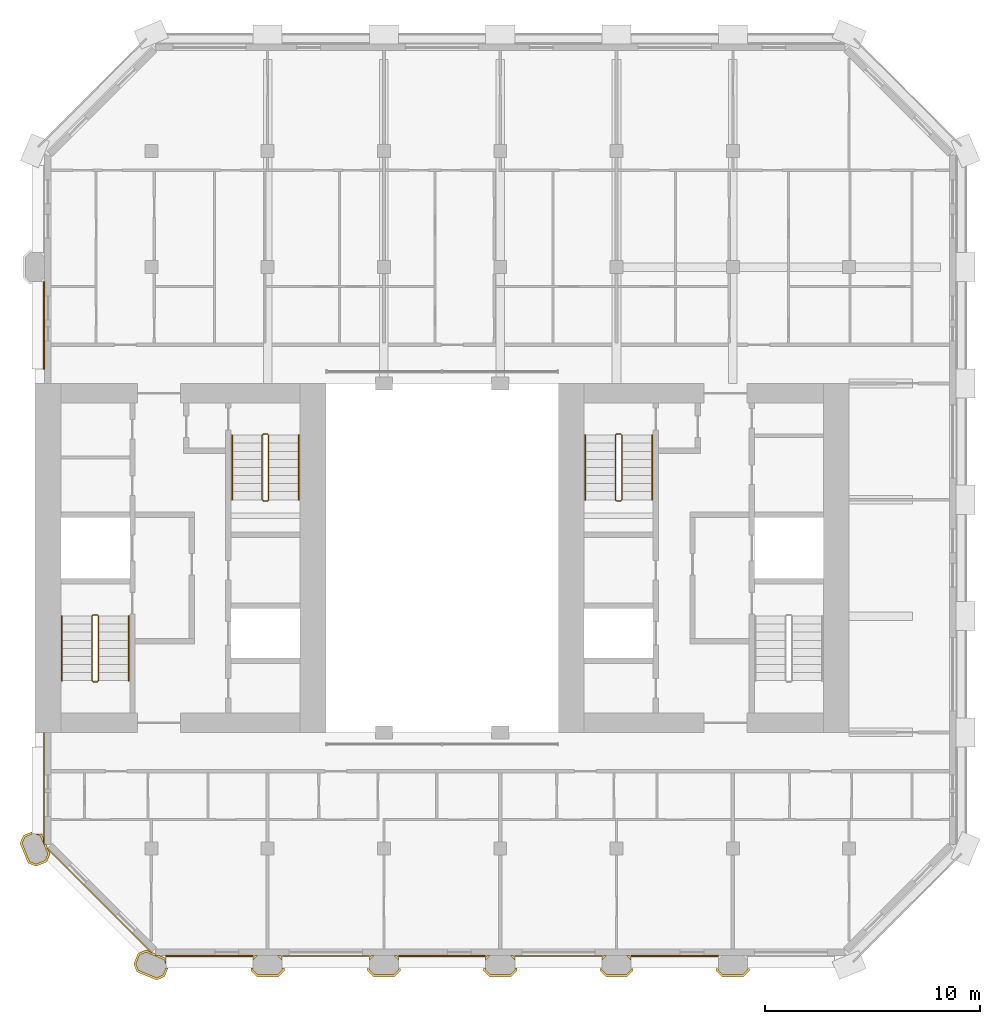
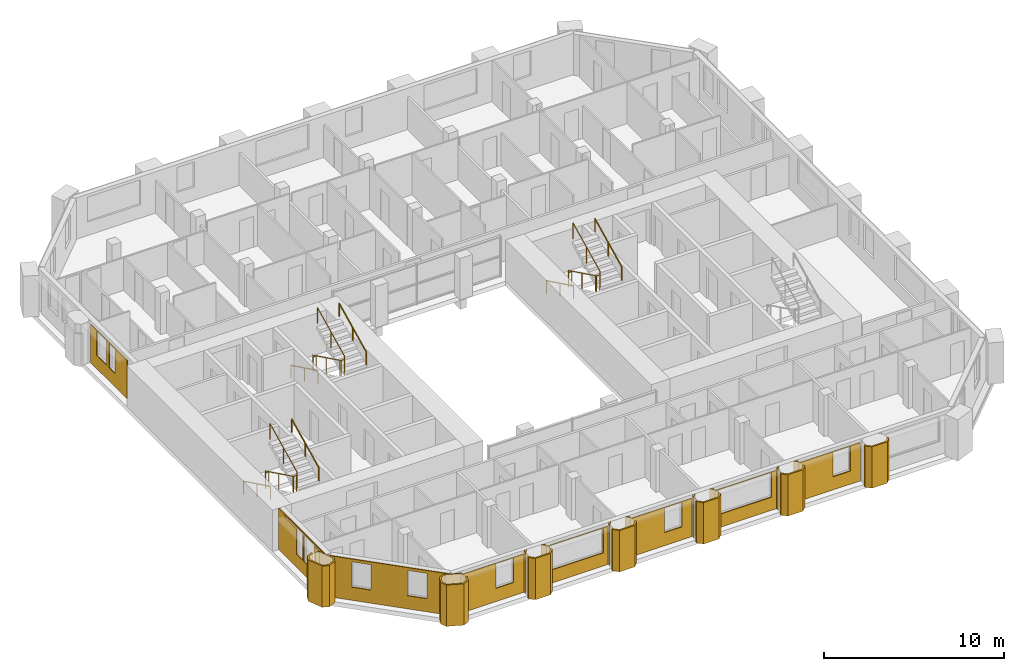
# One storey, part 11 of 13: 23 coverings, 9 railings.
"""IFC4 building model written with IfcOpenShell, lengths in metres."""

from ifc_helpers import new_model, si_unit, direction, frame, origin, origin_2d, place, context, subcontext, project, spatial, polyline, circle, outline, extrude, material, layer, layer_set, type_object, element, save


model = new_model("IFC4")

# Units and contexts
model_context = context("Model", 3, precision=1e-05, world=origin(), true_north=direction((0.0, 1.0)))
body_context = subcontext(model_context, "Body", "Model", "MODEL_VIEW")
ifc_project = project(units=[si_unit("LENGTHUNIT", "METRE"), si_unit("AREAUNIT", "SQUARE_METRE"), si_unit("VOLUMEUNIT", "CUBIC_METRE"), si_unit("PLANEANGLEUNIT", "RADIAN"), si_unit("MASSUNIT", "GRAM", prefix="KILO")], contexts=[model_context])

# Site, building, storey
site_placement = place(None, origin())
site = spatial("IfcSite", under=ifc_project, at=site_placement, CompositionType="ELEMENT")
building_placement = place(site_placement, origin())
building = spatial("IfcBuilding", under=site, at=building_placement, Name="Tabaq Tower and Sports Hall", CompositionType="ELEMENT")
storey_placement = place(building_placement, frame((0.0, 0.0, 304.89990234375)))
storey = spatial("IfcBuildingStorey", under=building, at=storey_placement, Name="L76", CompositionType="ELEMENT", Elevation=304.89990234375)

# Coverings
ifc_material_1 = material(Name="Precast concrete C60/75", Category="concrete")
ifc_layer_1 = layer(ifc_material_1, 0.10009765625)
ifc_layer_set_1 = layer_set([ifc_layer_1], Name="Column cladding 100")
covering_type_1 = type_object("IfcCoveringType", Name="Column cladding 100", PredefinedType="CLADDING", material=ifc_layer_set_1)
covering_1_placement = place(storey_placement, origin())
element("IfcCovering", 1, at=covering_1_placement, inside=storey, type_object=covering_type_1, Name="Column cladding L76 PC-2C-R2", PredefinedType="CLADDING", context=body_context, shape_type="SweptSolid", body=[
    extrude(outline(polyline([(5.450439453125, 9.982421875), (5.080078125, 10.1357421875), (4.7041015625, 11.04345703125), (4.857421875, 11.413818359375), (5.249755859375, 11.576171875), (5.249755859375, 11.474609375), (5.26416015625, 11.474609375), (4.93359375, 11.337646484375), (4.811767578125, 11.04345703125), (5.15625, 10.2119140625), (5.450439453125, 10.08984375), (5.866455078125, 10.26220703125), (5.98828125, 10.556396484375), (5.643798828125, 11.38818359375), (5.434814453125, 11.474609375), (5.694580078125, 11.474609375), (5.7197265625, 11.46435546875), (5.789794921875, 11.295654296875), (5.789794921875, 11.04296875), (5.849609375, 11.04296875), (5.849609375, 10.986083984375), (5.91796875, 10.986083984375), (5.9814453125, 10.83251953125), (5.9501953125, 10.801025390625), (6.026123046875, 10.72509765625), (6.095947265625, 10.556396484375), (5.9423828125, 10.186279296875), (5.450439453125, 9.982421875)])), origin(), (0.0, 0.0, 1.0), 2.800048828125),
])
covering_2_placement = place(storey_placement, origin())
element("IfcCovering", 2, at=covering_2_placement, inside=storey, type_object=covering_type_1, Name="Column cladding L76 PC-3B-R2", PredefinedType="CLADDING", context=body_context, shape_type="SweptSolid", body=[
    extrude(outline(polyline([(11.413818359375, 4.857421875), (11.04345703125, 4.7041015625), (10.1357421875, 5.080078125), (9.982421875, 5.450439453125), (10.186279296875, 5.9423828125), (10.556396484375, 6.095947265625), (10.72509765625, 6.026123046875), (10.801025390625, 5.9501953125), (10.83251953125, 5.9814453125), (10.986083984375, 5.91796875), (10.986083984375, 5.849609375), (11.15087890625, 5.849609375), (11.46435546875, 5.7197265625), (11.474609375, 5.694580078125), (11.474609375, 5.434814453125), (11.38818359375, 5.643798828125), (10.556396484375, 5.98828125), (10.26220703125, 5.866455078125), (10.08984375, 5.450439453125), (10.2119140625, 5.15625), (11.04345703125, 4.811767578125), (11.337646484375, 4.93359375), (11.474609375, 5.26416015625), (11.474609375, 5.249755859375), (11.576171875, 5.249755859375), (11.413818359375, 4.857421875)])), origin(), (0.0, 0.0, 1.0), 2.800048828125),
])
covering_3_placement = place(storey_placement, origin())
element("IfcCovering", 3, at=covering_3_placement, inside=storey, type_object=covering_type_1, Name="Column cladding L76 PC-4B-R2", PredefinedType="CLADDING", context=body_context, shape_type="SweptSolid", body=[
    extrude(outline(polyline([(15.42529296875, 5.249755859375), (15.524658203125, 5.249755859375), (15.524658203125, 5.1748046875), (15.749755859375, 4.94970703125), (16.650146484375, 4.94970703125), (16.875244140625, 5.1748046875), (16.875244140625, 5.249755859375), (16.974609375, 5.249755859375), (16.974609375, 5.1337890625), (16.69140625, 4.850341796875), (15.708740234375, 4.850341796875), (15.42529296875, 5.1337890625), (15.42529296875, 5.249755859375)])), origin(), (0.0, 0.0, 1.0), 2.800048828125),
])
covering_4_placement = place(storey_placement, origin())
element("IfcCovering", 4, at=covering_4_placement, inside=storey, type_object=covering_type_1, Name="Column cladding L76 PC-4B-R2 2", PredefinedType="CLADDING", context=body_context, shape_type="SweptSolid", body=[
    extrude(outline(polyline([(16.874755859375, 5.766357421875), (16.874755859375, 5.625732421875), (16.650634765625, 5.849609375), (16.791259765625, 5.849609375), (16.874755859375, 5.766357421875)])), origin(), (0.0, 0.0, 1.0), 2.800048828125),
])
covering_5_placement = place(storey_placement, origin())
element("IfcCovering", 5, at=covering_5_placement, inside=storey, type_object=covering_type_1, Name="Column cladding L76 PC-4B-R2 3", PredefinedType="CLADDING", context=body_context, shape_type="SweptSolid", body=[
    extrude(outline(polyline([(15.608642578125, 5.849609375), (15.749267578125, 5.849609375), (15.525390625, 5.625732421875), (15.525390625, 5.766357421875), (15.608642578125, 5.849609375)])), origin(), (0.0, 0.0, 1.0), 2.800048828125),
])
covering_6_placement = place(storey_placement, origin())
element("IfcCovering", 6, at=covering_6_placement, inside=storey, type_object=covering_type_1, Name="Column cladding L76 PC-5B-R2", PredefinedType="CLADDING", context=body_context, shape_type="SweptSolid", body=[
    extrude(outline(polyline([(20.82568359375, 5.24951171875), (20.92431640625, 5.24951171875), (20.92431640625, 5.1748046875), (21.149658203125, 4.949462890625), (22.05029296875, 4.949462890625), (22.275634765625, 5.1748046875), (22.275634765625, 5.24951171875), (22.37451171875, 5.24951171875), (22.37451171875, 5.1337890625), (22.091064453125, 4.8505859375), (21.10888671875, 4.8505859375), (20.82568359375, 5.1337890625), (20.82568359375, 5.24951171875)])), origin(), (0.0, 0.0, 1.0), 2.800048828125),
])
covering_7_placement = place(storey_placement, origin())
element("IfcCovering", 7, at=covering_7_placement, inside=storey, type_object=covering_type_1, Name="Column cladding L76 PC-5B-R2 2", PredefinedType="CLADDING", context=body_context, shape_type="SweptSolid", body=[
    extrude(outline(polyline([(22.274658203125, 5.766357421875), (22.274658203125, 5.625732421875), (22.05078125, 5.849609375), (22.19140625, 5.849609375), (22.274658203125, 5.766357421875)])), origin(), (0.0, 0.0, 1.0), 2.800048828125),
])
covering_8_placement = place(storey_placement, origin())
element("IfcCovering", 8, at=covering_8_placement, inside=storey, type_object=covering_type_1, Name="Column cladding L76 PC-5B-R2 3", PredefinedType="CLADDING", context=body_context, shape_type="SweptSolid", body=[
    extrude(outline(polyline([(20.925537109375, 5.62646484375), (20.925537109375, 5.76611328125), (21.0087890625, 5.849365234375), (21.1484375, 5.849365234375), (20.925537109375, 5.62646484375)])), origin(), (0.0, 0.0, 1.0), 2.800048828125),
])
covering_9_placement = place(storey_placement, origin())
element("IfcCovering", 9, at=covering_9_placement, inside=storey, type_object=covering_type_1, Name="Column cladding L76 PC-6B-R2", PredefinedType="CLADDING", context=body_context, shape_type="SweptSolid", body=[
    extrude(outline(polyline([(26.225341796875, 5.249755859375), (26.32470703125, 5.249755859375), (26.32470703125, 5.1748046875), (26.5498046875, 4.94970703125), (27.4501953125, 4.94970703125), (27.67529296875, 5.1748046875), (27.67529296875, 5.249755859375), (27.774658203125, 5.249755859375), (27.774658203125, 5.1337890625), (27.4912109375, 4.850341796875), (26.5087890625, 4.850341796875), (26.225341796875, 5.1337890625), (26.225341796875, 5.249755859375)])), origin(), (0.0, 0.0, 1.0), 2.800048828125),
])
covering_10_placement = place(storey_placement, origin())
element("IfcCovering", 10, at=covering_10_placement, inside=storey, type_object=covering_type_1, Name="Column cladding L76 PC-6B-R2 2", PredefinedType="CLADDING", context=body_context, shape_type="SweptSolid", body=[
    extrude(outline(polyline([(26.40869140625, 5.849609375), (26.54931640625, 5.849609375), (26.3251953125, 5.625732421875), (26.3251953125, 5.766357421875), (26.40869140625, 5.849609375)])), origin(), (0.0, 0.0, 1.0), 2.800048828125),
])
covering_11_placement = place(storey_placement, origin())
element("IfcCovering", 11, at=covering_11_placement, inside=storey, type_object=covering_type_1, Name="Column cladding L76 PC-6B-R2 3", PredefinedType="CLADDING", context=body_context, shape_type="SweptSolid", body=[
    extrude(outline(polyline([(27.6748046875, 5.766357421875), (27.6748046875, 5.625732421875), (27.45068359375, 5.849609375), (27.59130859375, 5.849609375), (27.6748046875, 5.766357421875)])), origin(), (0.0, 0.0, 1.0), 2.800048828125),
])
covering_12_placement = place(storey_placement, origin())
element("IfcCovering", 12, at=covering_12_placement, inside=storey, type_object=covering_type_1, Name="Column cladding L76 PC-7B-R2", PredefinedType="CLADDING", context=body_context, shape_type="SweptSolid", body=[
    extrude(outline(polyline([(31.62548828125, 5.24951171875), (31.724365234375, 5.24951171875), (31.724365234375, 5.1748046875), (31.94970703125, 4.949462890625), (32.850341796875, 4.949462890625), (33.07568359375, 5.1748046875), (33.07568359375, 5.24951171875), (33.17431640625, 5.24951171875), (33.17431640625, 5.1337890625), (32.89111328125, 4.8505859375), (31.908935546875, 4.8505859375), (31.62548828125, 5.1337890625), (31.62548828125, 5.24951171875)])), origin(), (0.0, 0.0, 1.0), 2.800048828125),
])
covering_13_placement = place(storey_placement, origin())
element("IfcCovering", 13, at=covering_13_placement, inside=storey, type_object=covering_type_1, Name="Column cladding L76 PC-7B-R2 2", PredefinedType="CLADDING", context=body_context, shape_type="SweptSolid", body=[
    extrude(outline(polyline([(31.80859375, 5.849609375), (31.94921875, 5.849609375), (31.725341796875, 5.625732421875), (31.725341796875, 5.766357421875), (31.80859375, 5.849609375)])), origin(), (0.0, 0.0, 1.0), 2.800048828125),
])
covering_14_placement = place(storey_placement, origin())
element("IfcCovering", 14, at=covering_14_placement, inside=storey, type_object=covering_type_1, Name="Column cladding L76 PC-7B-R2 3", PredefinedType="CLADDING", context=body_context, shape_type="SweptSolid", body=[
    extrude(outline(polyline([(33.074462890625, 5.62646484375), (32.8515625, 5.849365234375), (32.9912109375, 5.849365234375), (33.074462890625, 5.76611328125), (33.074462890625, 5.62646484375)])), origin(), (0.0, 0.0, 1.0), 2.800048828125),
])
covering_15_placement = place(storey_placement, origin())
element("IfcCovering", 15, at=covering_15_placement, inside=storey, type_object=covering_type_1, Name="Column cladding L76 PC-8B-R2", PredefinedType="CLADDING", context=body_context, shape_type="SweptSolid", body=[
    extrude(outline(polyline([(37.025634765625, 5.24951171875), (37.12451171875, 5.24951171875), (37.12451171875, 5.1748046875), (37.349853515625, 4.949462890625), (38.250244140625, 4.949462890625), (38.4755859375, 5.1748046875), (38.4755859375, 5.24951171875), (38.574462890625, 5.24951171875), (38.574462890625, 5.1337890625), (38.291259765625, 4.8505859375), (37.308837890625, 4.8505859375), (37.025634765625, 5.1337890625), (37.025634765625, 5.24951171875)])), origin(), (0.0, 0.0, 1.0), 2.800048828125),
])

# Railings
ifc_material_2 = material(Name="Stainless steel", Category="steel")
railing_type_1 = type_object("IfcRailingType", Name="Stair guard", PredefinedType="GUARDRAIL", material=ifc_material_2)
railing_1_placement = place(storey_placement, frame((8.300048828125, 21.64990234375, 0.0)))
element("IfcRailing", 16, at=railing_1_placement, inside=storey, type_object=railing_type_1, Name="L76 ST1 stair guard 1", PredefinedType="GUARDRAIL", context=body_context, shape_type="SweptSolid", body=[
    extrude(circle(Radius=0.02392578125, at=origin_2d()), frame((0.0, 0.0, 1.076171875), z_axis=(-1.0, 0.0, 0.0), x_axis=(0.0, -1.0, 0.0)), (0.0, 0.0, 1.0), 0.199951171875),
    extrude(circle(Radius=0.02392578125, at=origin_2d()), frame((-0.199951171875, 0.0, 1.076171875), z_axis=(-0.254733673405, -0.25349107012, 0.933195066962), x_axis=(0.705375805398, -0.708833529934, 0.0)), (0.0, 0.0, 1.0), 0.196533203125),
    extrude(circle(Radius=0.02392578125, at=origin_2d()), frame((-0.25, -0.0498046875, 1.25927734375), z_axis=(0.0, -0.898368975038, 0.439241601728), x_axis=(1.0, 0.0, 0.0)), (0.0, 0.0, 1.0), 3.33935546875),
    extrude(circle(Radius=0.02392578125, at=origin_2d()), frame((-0.25, -3.0498046875, 2.72607421875), z_axis=(0.707106781187, -0.707106781187, 0.0), x_axis=(0.707106781187, 0.707106781187, 0.0)), (0.0, 0.0, 1.0), 0.07080078125),
    extrude(circle(Radius=0.02392578125, at=origin_2d()), frame((-0.199951171875, -3.099853515625, 2.72607421875), z_axis=(1.0, 0.0, 0.0), x_axis=(0.0, 1.0, 0.0)), (0.0, 0.0, 1.0), 0.199951171875),
    extrude(circle(Radius=0.02392578125, at=origin_2d()), frame((0.0, -3.099853515625, 2.72607421875), z_axis=(0.254653276557, 0.254653276557, 0.932900539971), x_axis=(-0.707106781187, 0.707106781187, 0.0)), (0.0, 0.0, 1.0), 0.196533203125),
    extrude(circle(Radius=0.02392578125, at=origin_2d()), frame((0.050048828125, -3.0498046875, 2.90966796875), z_axis=(0.0, 0.898397823093, 0.439182594671), x_axis=(-1.0, 0.0, 0.0)), (0.0, 0.0, 1.0), 3.33935546875),
    extrude(circle(Radius=0.02099609375, at=origin_2d()), origin(), (0.0, 0.0, 1.0), 1.052001953125),
    extrude(circle(Radius=0.02099609375, at=origin_2d()), frame((-0.199951171875, 0.0, 0.0)), (0.0, 0.0, 1.0), 1.052001953125),
    extrude(circle(Radius=0.02099609375, at=origin_2d()), frame((-0.25, -0.0498046875, 0.183349609375)), (0.0, 0.0, 1.0), 1.052001953125),
    extrude(circle(Radius=0.02099609375, at=origin_2d()), frame((-0.25, -1.5498046875, 0.916748046875)), (0.0, 0.0, 1.0), 1.052001953125),
    extrude(circle(Radius=0.02099609375, at=origin_2d()), frame((-0.25, -3.0498046875, 1.650146484375)), (0.0, 0.0, 1.0), 1.052001953125),
    extrude(circle(Radius=0.02099609375, at=origin_2d()), frame((-0.199951171875, -3.099853515625, 1.650146484375)), (0.0, 0.0, 1.0), 1.052001953125),
    extrude(circle(Radius=0.02099609375, at=origin_2d()), frame((0.0, -3.099853515625, 1.650146484375)), (0.0, 0.0, 1.0), 1.052001953125),
    extrude(circle(Radius=0.02099609375, at=origin_2d()), frame((0.050048828125, -3.0498046875, 1.83349609375)), (0.0, 0.0, 1.0), 1.052001953125),
    extrude(circle(Radius=0.02099609375, at=origin_2d()), frame((0.050048828125, -1.5498046875, 2.56689453125)), (0.0, 0.0, 1.0), 1.052001953125),
    extrude(circle(Radius=0.02099609375, at=origin_2d()), frame((0.050048828125, -0.0498046875, 3.300048828125)), (0.0, 0.0, 1.0), 1.052001953125),
])
railing_2_placement = place(storey_placement, frame((16.199951171875, 30.050048828125, 0.0)))
element("IfcRailing", 17, at=railing_2_placement, inside=storey, type_object=railing_type_1, Name="L76 ST2 stair guard 1", PredefinedType="GUARDRAIL", context=body_context, shape_type="SweptSolid", body=[
    extrude(circle(Radius=0.02392578125, at=origin_2d()), frame((0.0, 0.0, 1.076171875), z_axis=(-1.0, 0.0, 0.0), x_axis=(0.0, -1.0, 0.0)), (0.0, 0.0, 1.0), 0.199951171875),
    extrude(circle(Radius=0.02392578125, at=origin_2d()), frame((-0.199951171875, 0.0, 1.076171875), z_axis=(-0.254653276557, -0.254653276557, 0.932900539971), x_axis=(0.707106781187, -0.707106781187, 0.0)), (0.0, 0.0, 1.0), 0.196533203125),
    extrude(circle(Radius=0.02392578125, at=origin_2d()), frame((-0.25, -0.050048828125, 1.25927734375), z_axis=(0.0, -0.898368975038, 0.439241601728), x_axis=(1.0, 0.0, 0.0)), (0.0, 0.0, 1.0), 3.33935546875),
    extrude(circle(Radius=0.02392578125, at=origin_2d()), frame((-0.25, -3.050048828125, 2.72607421875), z_axis=(0.707106781187, -0.707106781187, 0.0), x_axis=(0.707106781187, 0.707106781187, 0.0)), (0.0, 0.0, 1.0), 0.07080078125),
    extrude(circle(Radius=0.02392578125, at=origin_2d()), frame((-0.199951171875, -3.10009765625, 2.72607421875), z_axis=(1.0, 0.0, 0.0), x_axis=(0.0, 1.0, 0.0)), (0.0, 0.0, 1.0), 0.199951171875),
    extrude(circle(Radius=0.02392578125, at=origin_2d()), frame((0.0, -3.10009765625, 2.72607421875), z_axis=(0.254653276557, 0.254653276557, 0.932900539971), x_axis=(-0.707106781187, 0.707106781187, 0.0)), (0.0, 0.0, 1.0), 0.196533203125),
    extrude(circle(Radius=0.02392578125, at=origin_2d()), frame((0.050048828125, -3.050048828125, 2.90966796875), z_axis=(0.0, 0.898397823093, 0.439182594671), x_axis=(-1.0, 0.0, 0.0)), (0.0, 0.0, 1.0), 3.33935546875),
    extrude(circle(Radius=0.02099609375, at=origin_2d()), origin(), (0.0, 0.0, 1.0), 1.052001953125),
    extrude(circle(Radius=0.02099609375, at=origin_2d()), frame((-0.199951171875, 0.0, 0.0)), (0.0, 0.0, 1.0), 1.052001953125),
    extrude(circle(Radius=0.02099609375, at=origin_2d()), frame((-0.25, -0.050048828125, 0.183349609375)), (0.0, 0.0, 1.0), 1.052001953125),
    extrude(circle(Radius=0.02099609375, at=origin_2d()), frame((-0.25, -1.550048828125, 0.916748046875)), (0.0, 0.0, 1.0), 1.052001953125),
    extrude(circle(Radius=0.02099609375, at=origin_2d()), frame((-0.25, -3.050048828125, 1.650146484375)), (0.0, 0.0, 1.0), 1.052001953125),
    extrude(circle(Radius=0.02099609375, at=origin_2d()), frame((-0.199951171875, -3.10009765625, 1.650146484375)), (0.0, 0.0, 1.0), 1.052001953125),
    extrude(circle(Radius=0.02099609375, at=origin_2d()), frame((0.0, -3.10009765625, 1.650146484375)), (0.0, 0.0, 1.0), 1.052001953125),
    extrude(circle(Radius=0.02099609375, at=origin_2d()), frame((0.050048828125, -3.050048828125, 1.83349609375)), (0.0, 0.0, 1.0), 1.052001953125),
    extrude(circle(Radius=0.02099609375, at=origin_2d()), frame((0.050048828125, -1.550048828125, 2.56689453125)), (0.0, 0.0, 1.0), 1.052001953125),
    extrude(circle(Radius=0.02099609375, at=origin_2d()), frame((0.050048828125, -0.050048828125, 3.300048828125)), (0.0, 0.0, 1.0), 1.052001953125),
])
railing_3_placement = place(storey_placement, frame((32.60009765625, 30.050048828125, 0.0)))
element("IfcRailing", 18, at=railing_3_placement, inside=storey, type_object=railing_type_1, Name="L76 ST4 stair guard 1", PredefinedType="GUARDRAIL", context=body_context, shape_type="SweptSolid", body=[
    extrude(circle(Radius=0.02392578125, at=origin_2d()), frame((0.0, 0.0, 1.076171875), z_axis=(-1.0, 0.0, 0.0), x_axis=(0.0, -1.0, 0.0)), (0.0, 0.0, 1.0), 0.2001953125),
    extrude(circle(Radius=0.02392578125, at=origin_2d()), frame((-0.2001953125, 0.0, 1.076171875), z_axis=(-0.25349107012, -0.254733673405, 0.933195066962), x_axis=(0.708833529934, -0.705375805398, 0.0)), (0.0, 0.0, 1.0), 0.196533203125),
    extrude(circle(Radius=0.02392578125, at=origin_2d()), frame((-0.25, -0.050048828125, 1.25927734375), z_axis=(0.0, -0.898368975038, 0.439241601728), x_axis=(1.0, 0.0, 0.0)), (0.0, 0.0, 1.0), 3.33935546875),
    extrude(circle(Radius=0.02392578125, at=origin_2d()), frame((-0.25, -3.050048828125, 2.72607421875), z_axis=(0.705375805398, -0.708833529934, 0.0), x_axis=(0.708833529934, 0.705375805398, 0.0)), (0.0, 0.0, 1.0), 0.070556640625),
    extrude(circle(Radius=0.02392578125, at=origin_2d()), frame((-0.2001953125, -3.10009765625, 2.72607421875), z_axis=(1.0, 0.0, 0.0), x_axis=(0.0, 1.0, 0.0)), (0.0, 0.0, 1.0), 0.2001953125),
    extrude(circle(Radius=0.02392578125, at=origin_2d()), frame((0.0, -3.10009765625, 2.72607421875), z_axis=(0.25349107012, 0.254733673405, 0.933195066962), x_axis=(-0.708833529934, 0.705375805398, 0.0)), (0.0, 0.0, 1.0), 0.196533203125),
    extrude(circle(Radius=0.02392578125, at=origin_2d()), frame((0.0498046875, -3.050048828125, 2.90966796875), z_axis=(0.0, 0.898397823093, 0.439182594671), x_axis=(-1.0, 0.0, 0.0)), (0.0, 0.0, 1.0), 3.33935546875),
    extrude(circle(Radius=0.02099609375, at=origin_2d()), origin(), (0.0, 0.0, 1.0), 1.052001953125),
    extrude(circle(Radius=0.02099609375, at=origin_2d()), frame((-0.2001953125, 0.0, 0.0)), (0.0, 0.0, 1.0), 1.052001953125),
    extrude(circle(Radius=0.02099609375, at=origin_2d()), frame((-0.25, -0.050048828125, 0.183349609375)), (0.0, 0.0, 1.0), 1.052001953125),
    extrude(circle(Radius=0.02099609375, at=origin_2d()), frame((-0.25, -1.550048828125, 0.916748046875)), (0.0, 0.0, 1.0), 1.052001953125),
    extrude(circle(Radius=0.02099609375, at=origin_2d()), frame((-0.25, -3.050048828125, 1.650146484375)), (0.0, 0.0, 1.0), 1.052001953125),
    extrude(circle(Radius=0.02099609375, at=origin_2d()), frame((-0.2001953125, -3.10009765625, 1.650146484375)), (0.0, 0.0, 1.0), 1.052001953125),
    extrude(circle(Radius=0.02099609375, at=origin_2d()), frame((0.0, -3.10009765625, 1.650146484375)), (0.0, 0.0, 1.0), 1.052001953125),
    extrude(circle(Radius=0.02099609375, at=origin_2d()), frame((0.0498046875, -3.050048828125, 1.83349609375)), (0.0, 0.0, 1.0), 1.052001953125),
    extrude(circle(Radius=0.02099609375, at=origin_2d()), frame((0.0498046875, -1.550048828125, 2.56689453125)), (0.0, 0.0, 1.0), 1.052001953125),
    extrude(circle(Radius=0.02099609375, at=origin_2d()), frame((0.0498046875, -0.050048828125, 3.300048828125)), (0.0, 0.0, 1.0), 1.052001953125),
])
ifc_material_3 = material(Name="Stainless steel", Category="steel")
railing_type_2 = type_object("IfcRailingType", Name="Stair handrail", PredefinedType="HANDRAIL", material=ifc_material_3)
railing_4_placement = place(storey_placement, frame((6.64990234375, 21.60009765625, 0.183349609375)))
element("IfcRailing", 19, at=railing_4_placement, inside=storey, type_object=railing_type_2, Name="L76 ST1 stair handrail 1", PredefinedType="HANDRAIL", context=body_context, shape_type="SweptSolid", body=[
    extrude(circle(Radius=0.02392578125, at=origin_2d()), frame((0.0, 0.0, 0.8759765625), z_axis=(0.0, -0.898368975038, 0.439241601728), x_axis=(1.0, 0.0, 0.0)), (0.0, 0.0, 1.0), 3.33935546875),
    extrude(circle(Radius=0.02099609375, at=origin_2d()), origin(), (0.0, 0.0, 1.0), 0.851806640625),
    extrude(circle(Radius=0.02099609375, at=origin_2d()), frame((0.0, -1.5, 0.7333984375)), (0.0, 0.0, 1.0), 0.851806640625),
    extrude(circle(Radius=0.02099609375, at=origin_2d()), frame((0.0, -3.0, 1.466796875)), (0.0, 0.0, 1.0), 0.851806640625),
])
railing_5_placement = place(storey_placement, frame((9.75, 18.60009765625, 1.83349609375)))
element("IfcRailing", 20, at=railing_5_placement, inside=storey, type_object=railing_type_2, Name="L76 ST1 stair handrail 2", PredefinedType="HANDRAIL", context=body_context, shape_type="SweptSolid", body=[
    extrude(circle(Radius=0.02392578125, at=origin_2d()), frame((0.0, 0.0, 0.8759765625), z_axis=(0.0, 0.898397823093, 0.439182594671), x_axis=(-1.0, 0.0, 0.0)), (0.0, 0.0, 1.0), 3.33935546875),
    extrude(circle(Radius=0.02099609375, at=origin_2d()), origin(), (0.0, 0.0, 1.0), 0.851806640625),
    extrude(circle(Radius=0.02099609375, at=origin_2d()), frame((0.0, 1.5, 0.7333984375)), (0.0, 0.0, 1.0), 0.851806640625),
    extrude(circle(Radius=0.02099609375, at=origin_2d()), frame((0.0, 3.0, 1.466552734375)), (0.0, 0.0, 1.0), 0.851806640625),
])
railing_6_placement = place(storey_placement, frame((14.550048828125, 30.0, 0.183349609375)))
element("IfcRailing", 21, at=railing_6_placement, inside=storey, type_object=railing_type_2, Name="L76 ST2 stair handrail 1", PredefinedType="HANDRAIL", context=body_context, shape_type="SweptSolid", body=[
    extrude(circle(Radius=0.02392578125, at=origin_2d()), frame((0.0, 0.0, 0.8759765625), z_axis=(0.0, -0.898368975038, 0.439241601728), x_axis=(1.0, 0.0, 0.0)), (0.0, 0.0, 1.0), 3.33935546875),
    extrude(circle(Radius=0.02099609375, at=origin_2d()), origin(), (0.0, 0.0, 1.0), 0.851806640625),
    extrude(circle(Radius=0.02099609375, at=origin_2d()), frame((0.0, -1.5, 0.7333984375)), (0.0, 0.0, 1.0), 0.851806640625),
    extrude(circle(Radius=0.02099609375, at=origin_2d()), frame((0.0, -3.0, 1.466796875)), (0.0, 0.0, 1.0), 0.851806640625),
])
railing_7_placement = place(storey_placement, frame((17.64990234375, 27.0, 1.83349609375)))
element("IfcRailing", 22, at=railing_7_placement, inside=storey, type_object=railing_type_2, Name="L76 ST2 stair handrail 2", PredefinedType="HANDRAIL", context=body_context, shape_type="SweptSolid", body=[
    extrude(circle(Radius=0.02392578125, at=origin_2d()), frame((0.0, 0.0, 0.8759765625), z_axis=(0.0, 0.898397823093, 0.439182594671), x_axis=(-1.0, 0.0, 0.0)), (0.0, 0.0, 1.0), 3.33935546875),
    extrude(circle(Radius=0.02099609375, at=origin_2d()), origin(), (0.0, 0.0, 1.0), 0.851806640625),
    extrude(circle(Radius=0.02099609375, at=origin_2d()), frame((0.0, 1.5, 0.7333984375)), (0.0, 0.0, 1.0), 0.851806640625),
    extrude(circle(Radius=0.02099609375, at=origin_2d()), frame((0.0, 3.0, 1.466552734375)), (0.0, 0.0, 1.0), 0.851806640625),
])
railing_8_placement = place(storey_placement, frame((30.949951171875, 30.0, 0.183349609375)))
element("IfcRailing", 23, at=railing_8_placement, inside=storey, type_object=railing_type_2, Name="L76 ST4 stair handrail 1", PredefinedType="HANDRAIL", context=body_context, shape_type="SweptSolid", body=[
    extrude(circle(Radius=0.02392578125, at=origin_2d()), frame((0.0, 0.0, 0.8759765625), z_axis=(0.0, -0.898368975038, 0.439241601728), x_axis=(1.0, 0.0, 0.0)), (0.0, 0.0, 1.0), 3.33935546875),
    extrude(circle(Radius=0.02099609375, at=origin_2d()), origin(), (0.0, 0.0, 1.0), 0.851806640625),
    extrude(circle(Radius=0.02099609375, at=origin_2d()), frame((0.0, -1.5, 0.7333984375)), (0.0, 0.0, 1.0), 0.851806640625),
    extrude(circle(Radius=0.02099609375, at=origin_2d()), frame((0.0, -3.0, 1.466796875)), (0.0, 0.0, 1.0), 0.851806640625),
])
railing_9_placement = place(storey_placement, frame((34.050048828125, 27.0, 1.83349609375)))
element("IfcRailing", 24, at=railing_9_placement, inside=storey, type_object=railing_type_2, Name="L76 ST4 stair handrail 2", PredefinedType="HANDRAIL", context=body_context, shape_type="SweptSolid", body=[
    extrude(circle(Radius=0.02392578125, at=origin_2d()), frame((0.0, 0.0, 0.8759765625), z_axis=(0.0, 0.898397823093, 0.439182594671), x_axis=(-1.0, 0.0, 0.0)), (0.0, 0.0, 1.0), 3.33935546875),
    extrude(circle(Radius=0.02099609375, at=origin_2d()), origin(), (0.0, 0.0, 1.0), 0.851806640625),
    extrude(circle(Radius=0.02099609375, at=origin_2d()), frame((0.0, 1.5, 0.7333984375)), (0.0, 0.0, 1.0), 0.851806640625),
    extrude(circle(Radius=0.02099609375, at=origin_2d()), frame((0.0, 3.0, 1.466552734375)), (0.0, 0.0, 1.0), 0.851806640625),
])

# Coverings
ifc_material_4 = material(Name="Precast concrete C60/75", Category="concrete")
ifc_layer_2 = layer(ifc_material_4, 0.06005859375)
ifc_layer_set_2 = layer_set([ifc_layer_2], Name="White precast cladding panel 60 C60/75")
covering_type_2 = type_object("IfcCoveringType", Name="White precast cladding panel 60 C60/75", PredefinedType="CLADDING", material=ifc_layer_set_2)
covering_16_placement = place(storey_placement, frame((11.465087890625, 5.820068359375, 0.0), z_axis=(0.0, 0.0, 1.0), x_axis=(1.0, 0.0, 0.0)))
element("IfcCovering", 25, at=covering_16_placement, inside=storey, type_object=covering_type_2, Name="White precast cladding panel L76 wall00", PredefinedType="CLADDING", context=body_context, shape_type="SweptSolid", body=[
    extrude(outline(polyline([(0.0, 0.0), (4.0498046875, 0.0), (4.0498046875, 2.590087890625), (0.0, 2.590087890625), (0.0, 0.0)]), holes=[polyline([(3.39501953125, 0.89013671875), (2.27490234375, 0.89013671875), (2.27490234375, 2.56005859375), (3.39501953125, 2.56005859375), (3.39501953125, 0.89013671875)])]), frame((0.0, 0.030029296875, 0.0), z_axis=(0.0, -1.0, 0.0), x_axis=(1.0, 0.0, 0.0)), (0.0, 0.0, 1.0), 0.06005859375),
])
covering_17_placement = place(storey_placement, frame((16.885009765625, 5.820068359375, 0.0), z_axis=(0.0, 0.0, 1.0), x_axis=(1.0, 0.0, 0.0)))
element("IfcCovering", 26, at=covering_17_placement, inside=storey, type_object=covering_type_2, Name="White precast cladding panel L76 wall00 2", PredefinedType="CLADDING", context=body_context, shape_type="SweptSolid", body=[
    extrude(outline(polyline([(0.0, 0.0), (4.030029296875, 0.0), (4.030029296875, 2.590087890625), (0.0, 2.590087890625), (0.0, 0.0)]), holes=[polyline([(3.72509765625, 0.89013671875), (0.304931640625, 0.89013671875), (0.304931640625, 2.56005859375), (3.72509765625, 2.56005859375), (3.72509765625, 0.89013671875)])]), frame((0.0, 0.030029296875, 0.0), z_axis=(0.0, -1.0, 0.0), x_axis=(1.0, 0.0, 0.0)), (0.0, 0.0, 1.0), 0.06005859375),
])
covering_18_placement = place(storey_placement, frame((22.284912109375, 5.820068359375, 0.0), z_axis=(0.0, 0.0, 1.0), x_axis=(1.0, 0.0, 0.0)))
element("IfcCovering", 27, at=covering_18_placement, inside=storey, type_object=covering_type_2, Name="White precast cladding panel L76 wall00 3", PredefinedType="CLADDING", context=body_context, shape_type="SweptSolid", body=[
    extrude(outline(polyline([(0.0, 0.0), (4.030029296875, 0.0), (4.030029296875, 2.590087890625), (0.0, 2.590087890625), (0.0, 0.0)]), holes=[polyline([(3.375, 0.89013671875), (2.2548828125, 0.89013671875), (2.2548828125, 2.56005859375), (3.375, 2.56005859375), (3.375, 0.89013671875)])]), frame((0.0, 0.030029296875, 0.0), z_axis=(0.0, -1.0, 0.0), x_axis=(1.0, 0.0, 0.0)), (0.0, 0.0, 1.0), 0.06005859375),
])
covering_19_placement = place(storey_placement, frame((27.68505859375, 5.820068359375, 0.0), z_axis=(0.0, 0.0, 1.0), x_axis=(1.0, 0.0, 0.0)))
element("IfcCovering", 28, at=covering_19_placement, inside=storey, type_object=covering_type_2, Name="White precast cladding panel L76 wall00 4", PredefinedType="CLADDING", context=body_context, shape_type="SweptSolid", body=[
    extrude(outline(polyline([(0.0, 0.0), (4.030029296875, 0.0), (4.030029296875, 2.590087890625), (0.0, 2.590087890625), (0.0, 0.0)]), holes=[polyline([(3.72509765625, 0.89013671875), (0.304931640625, 0.89013671875), (0.304931640625, 2.56005859375), (3.72509765625, 2.56005859375), (3.72509765625, 0.89013671875)])]), frame((0.0, 0.030029296875, 0.0), z_axis=(0.0, -1.0, 0.0), x_axis=(1.0, 0.0, 0.0)), (0.0, 0.0, 1.0), 0.06005859375),
])
covering_20_placement = place(storey_placement, frame((33.0849609375, 5.820068359375, 0.0), z_axis=(0.0, 0.0, 1.0), x_axis=(1.0, 0.0, 0.0)))
element("IfcCovering", 29, at=covering_20_placement, inside=storey, type_object=covering_type_2, Name="White precast cladding panel L76 wall00 5", PredefinedType="CLADDING", context=body_context, shape_type="SweptSolid", body=[
    extrude(outline(polyline([(0.0, 0.0), (4.030029296875, 0.0), (4.030029296875, 2.590087890625), (0.0, 2.590087890625), (0.0, 0.0)]), holes=[polyline([(3.375, 0.89013671875), (2.2548828125, 0.89013671875), (2.2548828125, 2.56005859375), (3.375, 2.56005859375), (3.375, 0.89013671875)])]), frame((0.0, 0.030029296875, 0.0), z_axis=(0.0, -1.0, 0.0), x_axis=(1.0, 0.0, 0.0)), (0.0, 0.0, 1.0), 0.06005859375),
])
covering_21_placement = place(storey_placement, frame((5.820068359375, 37.114990234375, 0.0), z_axis=(0.0, 0.0, 1.0), x_axis=(0.0, -1.0, 0.0)))
element("IfcCovering", 30, at=covering_21_placement, inside=storey, type_object=covering_type_2, Name="White precast cladding panel L76 wall06 2", PredefinedType="CLADDING", context=body_context, shape_type="SweptSolid", body=[
    extrude(outline(polyline([(0.0, 0.0), (4.050048828125, 0.0), (4.050048828125, 2.590087890625), (0.0, 2.590087890625), (0.0, 0.0)]), holes=[polyline([(0.655029296875, 0.89013671875), (0.655029296875, 2.56005859375), (1.77490234375, 2.56005859375), (1.77490234375, 0.89013671875), (0.655029296875, 0.89013671875)]), polyline([(2.080078125, 0.89013671875), (2.080078125, 2.56005859375), (2.75, 2.56005859375), (2.75, 0.89013671875), (2.080078125, 0.89013671875)])]), frame((0.0, 0.030029296875, 0.0), z_axis=(0.0, -1.0, 0.0), x_axis=(1.0, 0.0, 0.0)), (0.0, 0.0, 1.0), 0.06005859375),
])
covering_22_placement = place(storey_placement, frame((5.820068359375, 16.199951171875, 0.0), z_axis=(0.0, 0.0, 1.0), x_axis=(0.0, -1.0, 0.0)))
element("IfcCovering", 31, at=covering_22_placement, inside=storey, type_object=covering_type_2, Name="White precast cladding panel L76 wall06-1", PredefinedType="CLADDING", context=body_context, shape_type="SweptSolid", body=[
    extrude(outline(polyline([(0.0, 0.0), (5.15673828125, 0.0), (5.15673828125, 2.800048828125), (0.0, 2.800048828125), (0.0, 0.0)]), holes=[polyline([(1.965087890625, 2.590087890625), (0.6650390625, 2.590087890625), (0.6650390625, 2.710205078125), (4.735107421875, 2.710205078125), (4.735107421875, 2.590087890625), (3.909912109375, 2.590087890625), (3.909912109375, 0.89013671875), (2.7900390625, 0.89013671875), (2.7900390625, 2.590087890625), (2.635009765625, 2.590087890625), (2.635009765625, 0.89013671875), (1.965087890625, 0.89013671875), (1.965087890625, 2.590087890625)])]), frame((0.0, 0.030029296875, 0.0), z_axis=(0.0, -1.0, 0.0), x_axis=(1.0, 0.0, 0.0)), (0.0, 0.0, 1.0), 0.06005859375),
])
covering_23_placement = place(storey_placement, frame((5.9716796875, 10.822265625, 0.0), z_axis=(0.0, 0.0, 1.0), x_axis=(0.707106781187, -0.707106781187, 0.0)))
element("IfcCovering", 32, at=covering_23_placement, inside=storey, type_object=covering_type_2, Name="White precast cladding panel L76 wall07", PredefinedType="CLADDING", context=body_context, shape_type="SweptSolid", body=[
    extrude(outline(polyline([(0.0, 0.0), (6.85986328125, 0.0), (6.85986328125, 2.800048828125), (0.0, 2.800048828125), (0.0, 0.0)]), holes=[polyline([(1.269775390625, 2.610107421875), (2.389892578125, 2.610107421875), (2.389892578125, 0.89013671875), (1.269775390625, 0.89013671875), (1.269775390625, 2.610107421875)]), polyline([(4.4697265625, 2.610107421875), (5.58984375, 2.610107421875), (5.58984375, 0.89013671875), (4.4697265625, 0.89013671875), (4.4697265625, 2.610107421875)])]), frame((0.0, 0.030029296875, 0.0), z_axis=(0.0, -1.0, 0.0), x_axis=(1.0, 0.0, 0.0)), (0.0, 0.0, 1.0), 0.06005859375),
])

save(model, "model.ifc")
